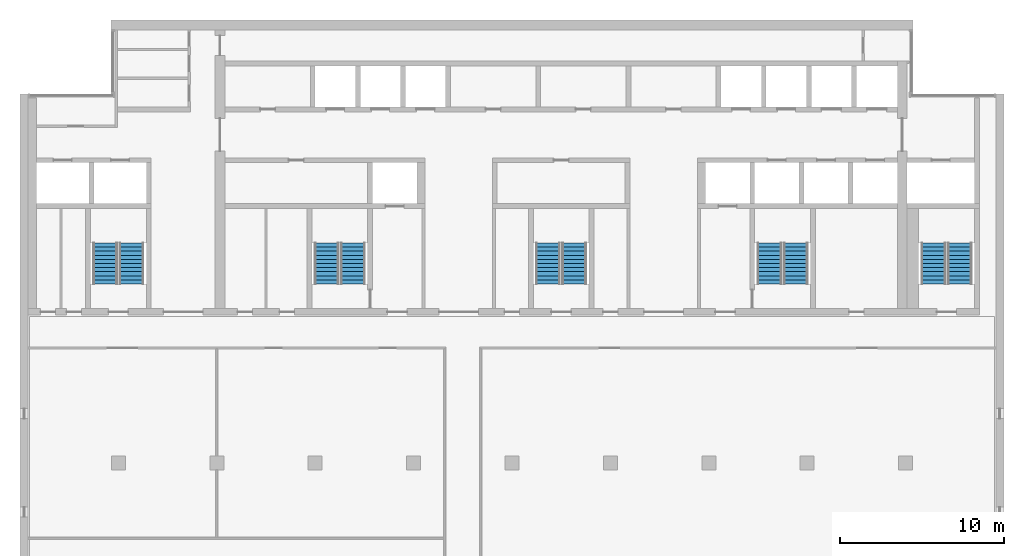
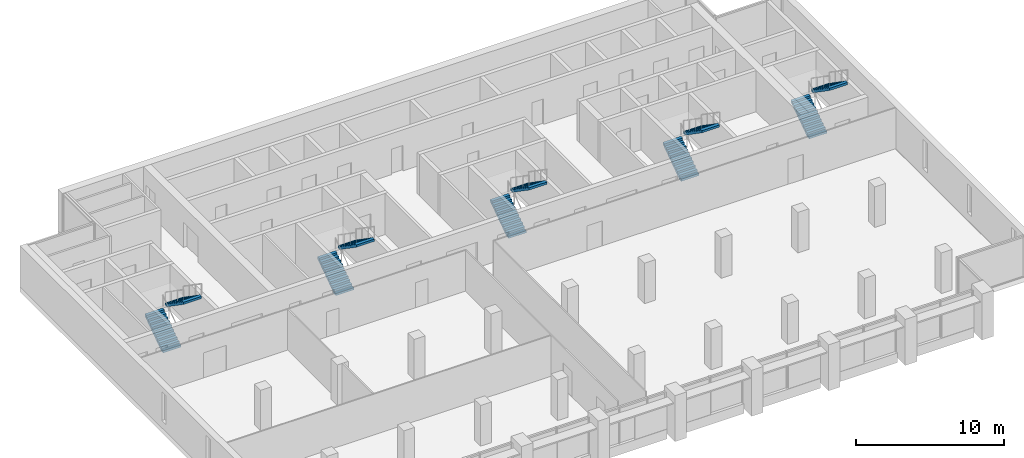
# One storey, part 12 of 14: 10 stair flights, 5 elements without a shape of their own.
"""IFC4 building model written with IfcOpenShell, lengths in metres."""

import ifcopenshell
import ifcopenshell.guid

model = None  # the IFC model being written
_history = None  # IfcOwnerHistory: only IFC2X3 demands one
_inside = {}  # id of a spatial element -> (the spatial element, [elements in it])
_under = {}  # id of a project, library or spatial element -> (it, [spatial elements below it])
_declared = {}  # id of a project -> (the project, [libraries it declares])
_typed = {}  # id of a type object -> (the type object, [elements of that type])
_made_of = {}  # id of a material, layer set ... -> (it, [elements and type objects made of it])


def new_model(schema):
    """Start an empty IFC model of exactly this schema.

    Asked for "IFC4X3", IfcOpenShell would pick the latest addendum, in which some entities
    have other attributes; the version numbers below select the first issue.
    IFC2X3 requires an IfcOwnerHistory on every rooted entity: one is made here for all.
    """
    global model, _history
    if schema == "IFC4X3":
        model = ifcopenshell.file(schema_version=(4, 3, 0, 0))
    else:
        model = ifcopenshell.file(schema=schema)
    _inside.clear()
    _under.clear()
    _declared.clear()
    _typed.clear()
    _made_of.clear()
    _history = None
    if model.schema == "IFC2X3":
        org = make("IfcOrganization", Name="unknown")
        user = make(
            "IfcPersonAndOrganization",
            ThePerson=make("IfcPerson", FamilyName="unknown"),
            TheOrganization=org,
        )
        app = make(
            "IfcApplication",
            ApplicationDeveloper=org,
            Version="unknown",
            ApplicationFullName="unknown",
            ApplicationIdentifier="unknown",
        )
        _history = make(
            "IfcOwnerHistory",
            OwningUser=user,
            OwningApplication=app,
            ChangeAction="ADDED",
            CreationDate=0,
        )
    return model


def make(cls, **values):
    """One entity of the class cls with the attributes given. An attribute that is None is left unset."""
    return model.create_entity(
        cls, **{name: value for name, value in values.items() if value is not None}
    )


def rooted(cls, **values):
    """An entity with a GlobalId (a new one), such as an element, a storey or a relation."""
    return make(cls, GlobalId=ifcopenshell.guid.new(), OwnerHistory=_history, **values)


def si_unit(unit_type, name, prefix=None):
    """IfcSIUnit, for example si_unit("LENGTHUNIT", "METRE", prefix="MILLI")."""
    return make("IfcSIUnit", UnitType=unit_type, Prefix=prefix, Name=name)


def assignment(units):
    """IfcUnitAssignment: the units of a project."""
    return None if units is None else make("IfcUnitAssignment", Units=units)


def point(xyz):
    """IfcCartesianPoint."""
    return None if xyz is None else make("IfcCartesianPoint", Coordinates=xyz)


def direction(xyz):
    """IfcDirection."""
    return None if xyz is None else make("IfcDirection", DirectionRatios=xyz)


def frame(location, z_axis=None, x_axis=None):
    """IfcAxis2Placement3D, a coordinate frame: its origin and axes. An axis left out is left unset."""
    return make(
        "IfcAxis2Placement3D",
        Location=point(location),
        Axis=direction(z_axis),
        RefDirection=direction(x_axis),
    )


def origin():
    """The frame at (0, 0, 0) with its axes left unset."""
    return frame((0.0, 0.0, 0.0))


def place(relative_to, where):
    """IfcLocalPlacement: puts the frame where relative to a parent placement (None: the world)."""
    return make(
        "IfcLocalPlacement", PlacementRelTo=relative_to, RelativePlacement=where
    )


def context(
    kind, dimensions, precision=None, world=None, true_north=None, identifier=None
):
    """IfcGeometricRepresentationContext, for example the 3D "Model" context."""
    return make(
        "IfcGeometricRepresentationContext",
        ContextIdentifier=identifier,
        ContextType=kind,
        CoordinateSpaceDimension=dimensions,
        Precision=precision,
        WorldCoordinateSystem=world,
        TrueNorth=true_north,
    )


def subcontext(parent, identifier, kind, view, scale=None):
    """IfcGeometricRepresentationSubContext, for example "Body" below "Model"."""
    return make(
        "IfcGeometricRepresentationSubContext",
        ContextIdentifier=identifier,
        ContextType=kind,
        ParentContext=parent,
        TargetScale=scale,
        TargetView=view,
    )


def project(units=None, contexts=None):
    """IfcProject with its units and contexts."""
    return rooted(
        "IfcProject",
        Name="project",
        RepresentationContexts=contexts,
        UnitsInContext=assignment(units),
    )


def spatial(cls, under=None, at=None, **own):
    """A site, building, storey or space (cls), placed at a placement, below another one or the project."""
    s = rooted(cls, ObjectPlacement=at, **own)
    if under is not None:
        _under.setdefault(under.id(), (under, []))[1].append(s)
    return s


def polyline(points):
    """IfcPolyline through the points."""
    return make("IfcPolyline", Points=[point(p) for p in points])


def outline(outer, holes=None, kind="AREA"):
    """IfcArbitraryClosedProfileDef: a profile drawn as a closed curve; with holes, ...WithVoids."""
    if holes is None:
        return make("IfcArbitraryClosedProfileDef", ProfileType=kind, OuterCurve=outer)
    return make(
        "IfcArbitraryProfileDefWithVoids",
        ProfileType=kind,
        OuterCurve=outer,
        InnerCurves=holes,
    )


def extrude(swept, where, along, depth):
    """IfcExtrudedAreaSolid: the profile swept, set in the frame where, extruded along a direction by depth."""
    return make(
        "IfcExtrudedAreaSolid",
        SweptArea=swept,
        Position=where,
        ExtrudedDirection=direction(along),
        Depth=depth,
    )


def shape(context_of_items, identifier, shape_type, items):
    """IfcShapeRepresentation: the items that make up one representation, for example the "Body"."""
    return make(
        "IfcShapeRepresentation",
        ContextOfItems=context_of_items,
        RepresentationIdentifier=identifier,
        RepresentationType=shape_type,
        Items=items,
    )


def material(Name=None, Category=None):
    """IfcMaterial."""
    return make("IfcMaterial", Name=Name, Category=Category)


def made_of(thing, what):
    """Note that an element or type object is made of a material, layer set ...; save() writes the relation."""
    if what is not None:
        _made_of.setdefault(what.id(), (what, []))[1].append(thing)
    return thing


def type_object(cls, material=None, **own):
    """A type object (cls), such as IfcWallType, which elements share."""
    return made_of(rooted(cls, **own), material)


def element(
    cls,
    number,
    at=None,
    inside=None,
    cuts=None,
    type_object=None,
    material=None,
    context=None,
    identifier="Body",
    shape_type=None,
    held_by="IfcProductDefinitionShape",
    body=None,
    shapes=None,
    **own,
):
    """One element of the class cls, such as IfcWall. Its Tag is "e" and its number.

    at: its placement. inside: the storey or other place that contains it. cuts: it is an
    opening in that element (IfcRelVoidsElement). A single representation is given by context,
    identifier, shape_type and body (its items); several are given by shapes. held_by: the class
    of the entity that holds the representations. save() writes the other relations.
    """
    e = rooted(cls, Tag="e%d" % number, ObjectPlacement=at, **own)
    if body is not None:
        shapes = [shape(context, identifier, shape_type, body)]
    if shapes is not None:
        e.Representation = make(held_by, Representations=shapes)
    if inside is not None:
        _inside.setdefault(inside.id(), (inside, []))[1].append(e)
    if cuts is not None:
        rooted(
            "IfcRelVoidsElement", RelatingBuildingElement=cuts, RelatedOpeningElement=e
        )
    if type_object is not None:
        _typed.setdefault(type_object.id(), (type_object, []))[1].append(e)
    return made_of(e, material)


def aggregate(whole, parts):
    """IfcRelAggregates: a whole, such as a stair, and the parts it consists of."""
    return rooted("IfcRelAggregates", RelatingObject=whole, RelatedObjects=parts)


def save(model, path):
    """Write the relations noted so far, then the file.

    IfcRelAggregates (storeys below a building ...), IfcRelContainedInSpatialStructure (elements
    in a storey), IfcRelDefinesByType, IfcRelAssociatesMaterial and IfcRelDeclares: one each for
    every whole, place, type object, material and project.
    """
    for whole, parts in _under.values():
        aggregate(whole, parts)
    for where, things in _inside.values():
        rooted(
            "IfcRelContainedInSpatialStructure",
            RelatedElements=things,
            RelatingStructure=where,
        )
    for kind, things in _typed.values():
        rooted("IfcRelDefinesByType", RelatedObjects=things, RelatingType=kind)
    for what, things in _made_of.values():
        rooted("IfcRelAssociatesMaterial", RelatedObjects=things, RelatingMaterial=what)
    for by, libraries in _declared.values():
        rooted("IfcRelDeclares", RelatingContext=by, RelatedDefinitions=libraries)
    model.write(path)


model = new_model("IFC4")

# Units and contexts
model_context = context("Model", 3, precision=1e-05, world=origin(), true_north=direction((0.0, 1.0)))
body_context = subcontext(model_context, "Body", "Model", "MODEL_VIEW")
ifc_project = project(units=[si_unit("LENGTHUNIT", "METRE"), si_unit("AREAUNIT", "SQUARE_METRE"), si_unit("VOLUMEUNIT", "CUBIC_METRE"), si_unit("PLANEANGLEUNIT", "RADIAN"), si_unit("MASSUNIT", "GRAM", prefix="KILO")], contexts=[model_context])

# Site, building, storey
site_placement = place(None, origin())
site = spatial("IfcSite", under=ifc_project, at=site_placement, CompositionType="ELEMENT")
building_placement = place(site_placement, origin())
building = spatial("IfcBuilding", under=site, at=building_placement, Name="Calvaro Tower", CompositionType="ELEMENT")
storey_placement = place(building_placement, frame((0.0, 0.0, 250.75)))
storey = spatial("IfcBuildingStorey", under=building, at=storey_placement, Name="L63", CompositionType="ELEMENT", Elevation=250.75)

# Stair, stair flights
ifc_material_1 = material(Name="Concrete C40/50", Category="concrete")
stair_type = type_object("IfcStairType", Name="Exit stair 1400 2 flights", PredefinedType="HALF_TURN_STAIR", material=ifc_material_1)
stair_1_placement = place(storey_placement, origin())
stair_1 = element("IfcStair", 1, at=stair_1_placement, inside=storey, type_object=stair_type, Name="Exit stair S1", PredefinedType="HALF_TURN_STAIR")
ifc_material_2 = material(Name="Concrete C40/50", Category="concrete")
stair_flight_type = type_object("IfcStairFlightType", Name="Stair flight", PredefinedType="STRAIGHT", material=ifc_material_2)
stair_flight_1_placement = place(storey_placement, frame((11.199951171875, 29.89990234375, 0.0), z_axis=(0.0, 0.0, 1.0), x_axis=(0.0, 1.0, 0.0)))
stair_flight_1 = element("IfcStairFlight", 2, at=stair_flight_1_placement, type_object=stair_flight_type, Name="Exit stair 1, flight 1", NumberOfRisers=11, NumberOfTreads=10, PredefinedType="STRAIGHT", RiserHeight=0.172727273, TreadLength=0.25, context=body_context, shape_type="SweptSolid", body=[
    extrude(outline(polyline([(0.0, 0.0), (0.0, 0.172607421875), (0.25, 0.172607421875), (0.25, 0.345458984375), (0.5, 0.345458984375), (0.5, 0.51806640625), (0.75, 0.51806640625), (0.75, 0.69091796875), (1.0, 0.69091796875), (1.0, 0.863525390625), (1.25, 0.863525390625), (1.25, 1.036376953125), (1.5, 1.036376953125), (1.5, 1.208984375), (1.75, 1.208984375), (1.75, 1.3818359375), (2.0, 1.3818359375), (2.0, 1.554443359375), (2.25, 1.554443359375), (2.25, 1.727294921875), (2.5, 1.727294921875), (2.5, 1.89990234375), (2.5, 1.545166015625), (0.263671875, 0.0), (0.0, 0.0)])), frame((0.0, 0.699951171875, 0.0), z_axis=(0.0, -1.0, 0.0), x_axis=(1.0, 0.0, 0.0)), (0.0, 0.0, 1.0), 1.39990234375),
])
stair_flight_2_placement = place(storey_placement, frame((12.800048828125, 32.39990234375, 1.89990234375), z_axis=(0.0, 0.0, 1.0), x_axis=(0.0, -1.0, 0.0)))
stair_flight_2 = element("IfcStairFlight", 3, at=stair_flight_2_placement, type_object=stair_flight_type, Name="Exit stair 1, flight 2", NumberOfRisers=11, NumberOfTreads=10, PredefinedType="STRAIGHT", RiserHeight=0.172727273, TreadLength=0.25, context=body_context, shape_type="SweptSolid", body=[
    extrude(outline(polyline([(0.0, 0.0), (0.0, 0.172607421875), (0.25, 0.172607421875), (0.25, 0.345458984375), (0.5, 0.345458984375), (0.5, 0.51806640625), (0.75, 0.51806640625), (0.75, 0.69091796875), (1.0, 0.69091796875), (1.0, 0.863525390625), (1.25, 0.863525390625), (1.25, 1.036376953125), (1.5, 1.036376953125), (1.5, 1.208984375), (1.75, 1.208984375), (1.75, 1.3818359375), (2.0, 1.3818359375), (2.0, 1.554443359375), (2.25, 1.554443359375), (2.25, 1.727294921875), (2.5, 1.727294921875), (2.5, 1.89990234375), (2.5, 1.545166015625), (0.263671875, 0.0), (0.0, 0.0)])), frame((0.0, 0.699951171875, 0.0), z_axis=(0.0, -1.0, 0.0), x_axis=(1.0, 0.0, 0.0)), (0.0, 0.0, 1.0), 1.39990234375),
])
aggregate(stair_1, [stair_flight_1, stair_flight_2])

stair_2_placement = place(storey_placement, origin())
stair_2 = element("IfcStair", 4, at=stair_2_placement, inside=storey, type_object=stair_type, Name="Exit stair S2", PredefinedType="HALF_TURN_STAIR")
stair_flight_3_placement = place(storey_placement, frame((24.699951171875, 29.89990234375, 0.0), z_axis=(0.0, 0.0, 1.0), x_axis=(0.0, 1.0, 0.0)))
stair_flight_3 = element("IfcStairFlight", 5, at=stair_flight_3_placement, type_object=stair_flight_type, Name="Exit stair 2, flight 1", NumberOfRisers=11, NumberOfTreads=10, PredefinedType="STRAIGHT", RiserHeight=0.172727273, TreadLength=0.25, context=body_context, shape_type="SweptSolid", body=[
    extrude(outline(polyline([(0.0, 0.0), (0.0, 0.172607421875), (0.25, 0.172607421875), (0.25, 0.345458984375), (0.5, 0.345458984375), (0.5, 0.51806640625), (0.75, 0.51806640625), (0.75, 0.69091796875), (1.0, 0.69091796875), (1.0, 0.863525390625), (1.25, 0.863525390625), (1.25, 1.036376953125), (1.5, 1.036376953125), (1.5, 1.208984375), (1.75, 1.208984375), (1.75, 1.3818359375), (2.0, 1.3818359375), (2.0, 1.554443359375), (2.25, 1.554443359375), (2.25, 1.727294921875), (2.5, 1.727294921875), (2.5, 1.89990234375), (2.5, 1.545166015625), (0.263671875, 0.0), (0.0, 0.0)])), frame((0.0, 0.699951171875, 0.0), z_axis=(0.0, -1.0, 0.0), x_axis=(1.0, 0.0, 0.0)), (0.0, 0.0, 1.0), 1.39990234375),
])
stair_flight_4_placement = place(storey_placement, frame((26.300048828125, 32.39990234375, 1.89990234375), z_axis=(0.0, 0.0, 1.0), x_axis=(0.0, -1.0, 0.0)))
stair_flight_4 = element("IfcStairFlight", 6, at=stair_flight_4_placement, type_object=stair_flight_type, Name="Exit stair 2, flight 2", NumberOfRisers=11, NumberOfTreads=10, PredefinedType="STRAIGHT", RiserHeight=0.172727273, TreadLength=0.25, context=body_context, shape_type="SweptSolid", body=[
    extrude(outline(polyline([(0.0, 0.0), (0.0, 0.172607421875), (0.25, 0.172607421875), (0.25, 0.345458984375), (0.5, 0.345458984375), (0.5, 0.51806640625), (0.75, 0.51806640625), (0.75, 0.69091796875), (1.0, 0.69091796875), (1.0, 0.863525390625), (1.25, 0.863525390625), (1.25, 1.036376953125), (1.5, 1.036376953125), (1.5, 1.208984375), (1.75, 1.208984375), (1.75, 1.3818359375), (2.0, 1.3818359375), (2.0, 1.554443359375), (2.25, 1.554443359375), (2.25, 1.727294921875), (2.5, 1.727294921875), (2.5, 1.89990234375), (2.5, 1.545166015625), (0.263671875, 0.0), (0.0, 0.0)])), frame((0.0, 0.699951171875, 0.0), z_axis=(0.0, -1.0, 0.0), x_axis=(1.0, 0.0, 0.0)), (0.0, 0.0, 1.0), 1.39990234375),
])
aggregate(stair_2, [stair_flight_3, stair_flight_4])

stair_3_placement = place(storey_placement, origin())
stair_3 = element("IfcStair", 7, at=stair_3_placement, inside=storey, type_object=stair_type, Name="Exit stair S3", PredefinedType="HALF_TURN_STAIR")
stair_flight_5_placement = place(storey_placement, frame((38.199951171875, 29.89990234375, 0.0), z_axis=(0.0, 0.0, 1.0), x_axis=(0.0, 1.0, 0.0)))
stair_flight_5 = element("IfcStairFlight", 8, at=stair_flight_5_placement, type_object=stair_flight_type, Name="Exit stair 3, flight 1", NumberOfRisers=11, NumberOfTreads=10, PredefinedType="STRAIGHT", RiserHeight=0.172727273, TreadLength=0.25, context=body_context, shape_type="SweptSolid", body=[
    extrude(outline(polyline([(0.0, 0.0), (0.0, 0.172607421875), (0.25, 0.172607421875), (0.25, 0.345458984375), (0.5, 0.345458984375), (0.5, 0.51806640625), (0.75, 0.51806640625), (0.75, 0.69091796875), (1.0, 0.69091796875), (1.0, 0.863525390625), (1.25, 0.863525390625), (1.25, 1.036376953125), (1.5, 1.036376953125), (1.5, 1.208984375), (1.75, 1.208984375), (1.75, 1.3818359375), (2.0, 1.3818359375), (2.0, 1.554443359375), (2.25, 1.554443359375), (2.25, 1.727294921875), (2.5, 1.727294921875), (2.5, 1.89990234375), (2.5, 1.545166015625), (0.263671875, 0.0), (0.0, 0.0)])), frame((0.0, 0.699951171875, 0.0), z_axis=(0.0, -1.0, 0.0), x_axis=(1.0, 0.0, 0.0)), (0.0, 0.0, 1.0), 1.39990234375),
])
stair_flight_6_placement = place(storey_placement, frame((39.800048828125, 32.39990234375, 1.89990234375), z_axis=(0.0, 0.0, 1.0), x_axis=(0.0, -1.0, 0.0)))
stair_flight_6 = element("IfcStairFlight", 9, at=stair_flight_6_placement, type_object=stair_flight_type, Name="Exit stair 3, flight 2", NumberOfRisers=11, NumberOfTreads=10, PredefinedType="STRAIGHT", RiserHeight=0.172727273, TreadLength=0.25, context=body_context, shape_type="SweptSolid", body=[
    extrude(outline(polyline([(0.0, 0.0), (0.0, 0.172607421875), (0.25, 0.172607421875), (0.25, 0.345458984375), (0.5, 0.345458984375), (0.5, 0.51806640625), (0.75, 0.51806640625), (0.75, 0.69091796875), (1.0, 0.69091796875), (1.0, 0.863525390625), (1.25, 0.863525390625), (1.25, 1.036376953125), (1.5, 1.036376953125), (1.5, 1.208984375), (1.75, 1.208984375), (1.75, 1.3818359375), (2.0, 1.3818359375), (2.0, 1.554443359375), (2.25, 1.554443359375), (2.25, 1.727294921875), (2.5, 1.727294921875), (2.5, 1.89990234375), (2.5, 1.545166015625), (0.263671875, 0.0), (0.0, 0.0)])), frame((0.0, 0.699951171875, 0.0), z_axis=(0.0, -1.0, 0.0), x_axis=(1.0, 0.0, 0.0)), (0.0, 0.0, 1.0), 1.39990234375),
])
aggregate(stair_3, [stair_flight_5, stair_flight_6])

stair_4_placement = place(storey_placement, origin())
stair_4 = element("IfcStair", 10, at=stair_4_placement, inside=storey, type_object=stair_type, Name="Exit stair S4", PredefinedType="HALF_TURN_STAIR")
stair_flight_7_placement = place(storey_placement, frame((51.699951171875, 29.89990234375, 0.0), z_axis=(0.0, 0.0, 1.0), x_axis=(0.0, 1.0, 0.0)))
stair_flight_7 = element("IfcStairFlight", 11, at=stair_flight_7_placement, type_object=stair_flight_type, Name="Exit stair 4, flight 1", NumberOfRisers=11, NumberOfTreads=10, PredefinedType="STRAIGHT", RiserHeight=0.172727273, TreadLength=0.25, context=body_context, shape_type="SweptSolid", body=[
    extrude(outline(polyline([(0.0, 0.0), (0.0, 0.172607421875), (0.25, 0.172607421875), (0.25, 0.345458984375), (0.5, 0.345458984375), (0.5, 0.51806640625), (0.75, 0.51806640625), (0.75, 0.69091796875), (1.0, 0.69091796875), (1.0, 0.863525390625), (1.25, 0.863525390625), (1.25, 1.036376953125), (1.5, 1.036376953125), (1.5, 1.208984375), (1.75, 1.208984375), (1.75, 1.3818359375), (2.0, 1.3818359375), (2.0, 1.554443359375), (2.25, 1.554443359375), (2.25, 1.727294921875), (2.5, 1.727294921875), (2.5, 1.89990234375), (2.5, 1.545166015625), (0.263671875, 0.0), (0.0, 0.0)])), frame((0.0, 0.699951171875, 0.0), z_axis=(0.0, -1.0, 0.0), x_axis=(1.0, 0.0, 0.0)), (0.0, 0.0, 1.0), 1.39990234375),
])
stair_flight_8_placement = place(storey_placement, frame((53.300048828125, 32.39990234375, 1.89990234375), z_axis=(0.0, 0.0, 1.0), x_axis=(0.0, -1.0, 0.0)))
stair_flight_8 = element("IfcStairFlight", 12, at=stair_flight_8_placement, type_object=stair_flight_type, Name="Exit stair 4, flight 2", NumberOfRisers=11, NumberOfTreads=10, PredefinedType="STRAIGHT", RiserHeight=0.172727273, TreadLength=0.25, context=body_context, shape_type="SweptSolid", body=[
    extrude(outline(polyline([(0.0, 0.0), (0.0, 0.172607421875), (0.25, 0.172607421875), (0.25, 0.345458984375), (0.5, 0.345458984375), (0.5, 0.51806640625), (0.75, 0.51806640625), (0.75, 0.69091796875), (1.0, 0.69091796875), (1.0, 0.863525390625), (1.25, 0.863525390625), (1.25, 1.036376953125), (1.5, 1.036376953125), (1.5, 1.208984375), (1.75, 1.208984375), (1.75, 1.3818359375), (2.0, 1.3818359375), (2.0, 1.554443359375), (2.25, 1.554443359375), (2.25, 1.727294921875), (2.5, 1.727294921875), (2.5, 1.89990234375), (2.5, 1.545166015625), (0.263671875, 0.0), (0.0, 0.0)])), frame((0.0, 0.699951171875, 0.0), z_axis=(0.0, -1.0, 0.0), x_axis=(1.0, 0.0, 0.0)), (0.0, 0.0, 1.0), 1.39990234375),
])
aggregate(stair_4, [stair_flight_7, stair_flight_8])

stair_5_placement = place(storey_placement, origin())
stair_5 = element("IfcStair", 13, at=stair_5_placement, inside=storey, type_object=stair_type, Name="Exit stair S5", PredefinedType="HALF_TURN_STAIR")
stair_flight_9_placement = place(storey_placement, frame((61.699951171875, 29.89990234375, 0.0), z_axis=(0.0, 0.0, 1.0), x_axis=(0.0, 1.0, 0.0)))
stair_flight_9 = element("IfcStairFlight", 14, at=stair_flight_9_placement, type_object=stair_flight_type, Name="Exit stair 5, flight 1", NumberOfRisers=11, NumberOfTreads=10, PredefinedType="STRAIGHT", RiserHeight=0.172727273, TreadLength=0.25, context=body_context, shape_type="SweptSolid", body=[
    extrude(outline(polyline([(0.0, 0.0), (0.0, 0.172607421875), (0.25, 0.172607421875), (0.25, 0.345458984375), (0.5, 0.345458984375), (0.5, 0.51806640625), (0.75, 0.51806640625), (0.75, 0.69091796875), (1.0, 0.69091796875), (1.0, 0.863525390625), (1.25, 0.863525390625), (1.25, 1.036376953125), (1.5, 1.036376953125), (1.5, 1.208984375), (1.75, 1.208984375), (1.75, 1.3818359375), (2.0, 1.3818359375), (2.0, 1.554443359375), (2.25, 1.554443359375), (2.25, 1.727294921875), (2.5, 1.727294921875), (2.5, 1.89990234375), (2.5, 1.545166015625), (0.263671875, 0.0), (0.0, 0.0)])), frame((0.0, 0.699951171875, 0.0), z_axis=(0.0, -1.0, 0.0), x_axis=(1.0, 0.0, 0.0)), (0.0, 0.0, 1.0), 1.39990234375),
])
stair_flight_10_placement = place(storey_placement, frame((63.300048828125, 32.39990234375, 1.89990234375), z_axis=(0.0, 0.0, 1.0), x_axis=(0.0, -1.0, 0.0)))
stair_flight_10 = element("IfcStairFlight", 15, at=stair_flight_10_placement, type_object=stair_flight_type, Name="Exit stair 5, flight 2", NumberOfRisers=11, NumberOfTreads=10, PredefinedType="STRAIGHT", RiserHeight=0.172727273, TreadLength=0.25, context=body_context, shape_type="SweptSolid", body=[
    extrude(outline(polyline([(0.0, 0.0), (0.0, 0.172607421875), (0.25, 0.172607421875), (0.25, 0.345458984375), (0.5, 0.345458984375), (0.5, 0.51806640625), (0.75, 0.51806640625), (0.75, 0.69091796875), (1.0, 0.69091796875), (1.0, 0.863525390625), (1.25, 0.863525390625), (1.25, 1.036376953125), (1.5, 1.036376953125), (1.5, 1.208984375), (1.75, 1.208984375), (1.75, 1.3818359375), (2.0, 1.3818359375), (2.0, 1.554443359375), (2.25, 1.554443359375), (2.25, 1.727294921875), (2.5, 1.727294921875), (2.5, 1.89990234375), (2.5, 1.545166015625), (0.263671875, 0.0), (0.0, 0.0)])), frame((0.0, 0.699951171875, 0.0), z_axis=(0.0, -1.0, 0.0), x_axis=(1.0, 0.0, 0.0)), (0.0, 0.0, 1.0), 1.39990234375),
])
aggregate(stair_5, [stair_flight_9, stair_flight_10])

save(model, "model.ifc")
